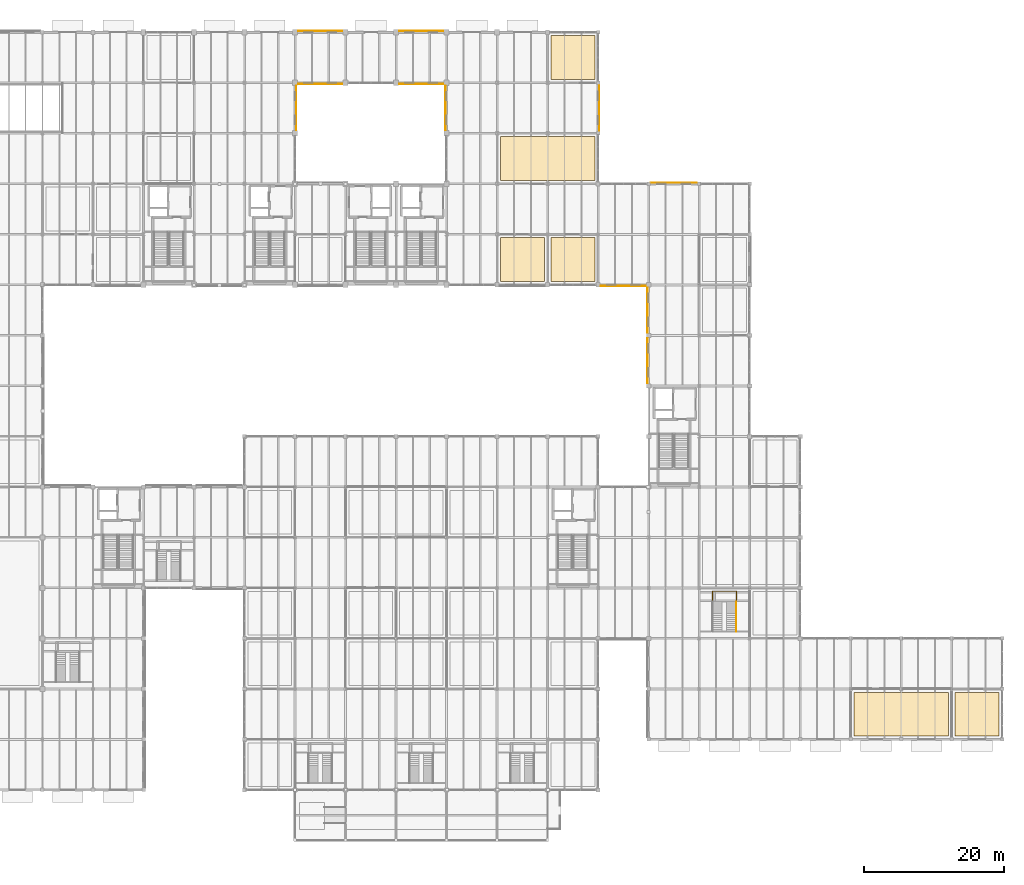
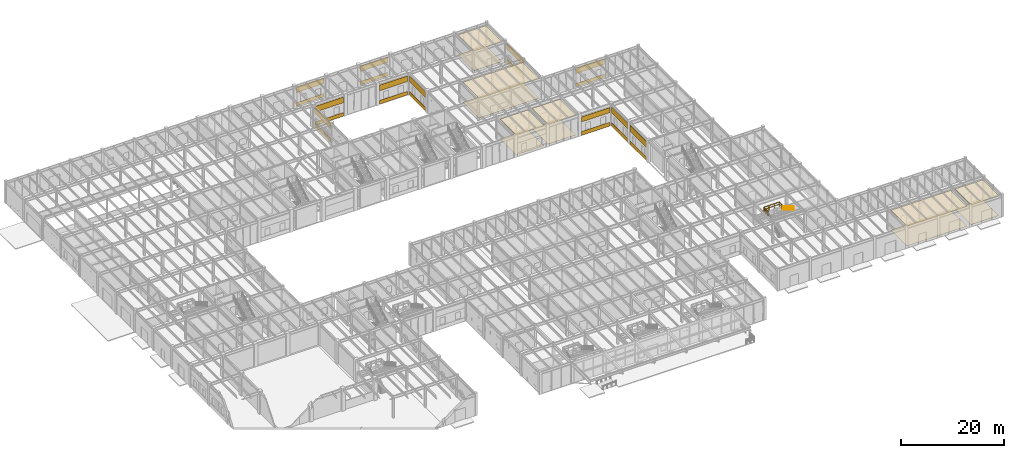
# One storey, part 96 of 97: 34 coverings, 2 railings.
"""IFC4 building model written with IfcOpenShell, lengths in metres."""

from ifc_helpers import new_model, si_unit, direction, frame, frame_2d, origin, origin_2d, place, context, subcontext, project, spatial, polyline, rectangle, circle, outline, extrude, material, layer, layer_set, type_object, element, save


model = new_model("IFC4")

# Units and contexts
model_context = context("Model", 3, precision=1e-05, world=origin(), true_north=direction((0.0, 1.0)))
body_context = subcontext(model_context, "Body", "Model", "MODEL_VIEW")
ifc_project = project(units=[si_unit("LENGTHUNIT", "METRE"), si_unit("AREAUNIT", "SQUARE_METRE"), si_unit("VOLUMEUNIT", "CUBIC_METRE"), si_unit("PLANEANGLEUNIT", "RADIAN"), si_unit("MASSUNIT", "GRAM", prefix="KILO")], contexts=[model_context])

# Site, building, storey
site_placement = place(None, origin())
site = spatial("IfcSite", under=ifc_project, at=site_placement, CompositionType="ELEMENT")
building_placement = place(site_placement, origin())
building = spatial("IfcBuilding", under=site, at=building_placement, Name="Sillqori Civic Hall", CompositionType="ELEMENT")
storey_placement = place(building_placement, origin())
storey = spatial("IfcBuildingStorey", under=building, at=storey_placement, Name="L01", CompositionType="ELEMENT", Elevation=0.0)

# Coverings
ifc_material_1 = material(Name="Acoustic Gypsum Board Assembly 28", Category="gypsum")
ifc_layer_1 = layer(ifc_material_1, 0.028076171875)
ifc_layer_set_1 = layer_set([ifc_layer_1], Name="Acoustic Gypsum Board Assembly 28")
covering_type_1 = type_object("IfcCoveringType", Name="COV-CEIL-G28", PredefinedType="CEILING", material=ifc_layer_set_1)
covering_1_placement = place(storey_placement, frame((0.0, 0.0, 4.721923828125)))
element("IfcCovering", 1, at=covering_1_placement, inside=storey, type_object=covering_type_1, Name="Business Licensing Intake Hall L01-10 acoustic ceiling", PredefinedType="CEILING", context=body_context, shape_type="SweptSolid", body=[
    extrude(outline(polyline([(108.47998046875, 79.679931640625), (114.719970703125, 79.679931640625), (114.719970703125, 85.919921875), (108.47998046875, 85.919921875), (108.47998046875, 79.679931640625)])), origin(), (0.0, 0.0, 1.0), 0.028076171875),
])
ifc_material_2 = material(Name="Acoustic Gypsum Board Assembly 34", Category="gypsum")
ifc_layer_2 = layer(ifc_material_2, 0.033935546875)
ifc_layer_set_2 = layer_set([ifc_layer_2], Name="Acoustic Gypsum Board Assembly 34")
covering_type_2 = type_object("IfcCoveringType", Name="COV-CEIL-G34", PredefinedType="CEILING", material=ifc_layer_set_2)
covering_2_placement = place(storey_placement, frame((0.0, 0.0, 4.716064453125)))
element("IfcCovering", 2, at=covering_2_placement, inside=storey, type_object=covering_type_2, Name="Social Services Citizen Advisory Suite L01-11 acoustic ceiling", PredefinedType="CEILING", context=body_context, shape_type="SweptSolid", body=[
    extrude(outline(polyline([(108.47998046875, 108.47998046875), (114.719970703125, 108.47998046875), (114.719970703125, 114.719970703125), (108.47998046875, 114.719970703125), (108.47998046875, 108.47998046875)])), origin(), (0.0, 0.0, 1.0), 0.033935546875),
])
ifc_material_3 = material(Name="Perforated Acoustic Gypsum Board Ceiling", Category="gypsum")
ifc_layer_3 = layer(ifc_material_3, 0.030029296875)
ifc_layer_set_3 = layer_set([ifc_layer_3], Name="Perforated Acoustic Gypsum Board Ceiling")
covering_type_3 = type_object("IfcCoveringType", Name="COV-CEIL-GYP", PredefinedType="CEILING", material=ifc_layer_set_3)
covering_3_placement = place(storey_placement, frame((0.0, 0.0, 4.719970703125)))
element("IfcCovering", 3, at=covering_3_placement, inside=storey, type_object=covering_type_3, Name="Ombudsman Public Consultation Room L01-08 acoustic ceiling", PredefinedType="CEILING", context=body_context, shape_type="SweptSolid", body=[
    extrude(outline(polyline([(101.280029296875, 79.679931640625), (107.52001953125, 79.679931640625), (107.52001953125, 85.919921875), (101.280029296875, 85.919921875), (101.280029296875, 79.679931640625)])), origin(), (0.0, 0.0, 1.0), 0.030029296875),
])
ifc_material_4 = material(Name="Acoustic Wool Metal Plank 76", Category="aluminium")
ifc_layer_4 = layer(ifc_material_4, 0.075927734375)
ifc_layer_set_4 = layer_set([ifc_layer_4], Name="Acoustic Wool Metal Plank 76")
covering_type_4 = type_object("IfcCoveringType", Name="COV-CEIL-M76", PredefinedType="CEILING", material=ifc_layer_set_4)
covering_4_placement = place(storey_placement, frame((0.0, 0.0, 4.674072265625)))
element("IfcCovering", 4, at=covering_4_placement, inside=storey, type_object=covering_type_4, Name="Book Return and Sorting Room acoustic ceiling", PredefinedType="CEILING", context=body_context, shape_type="SweptSolid", body=[
    extrude(outline(polyline([(151.679931640625, 14.8798828125), (165.1201171875, 14.8798828125), (165.1201171875, 21.1201171875), (151.679931640625, 21.1201171875), (151.679931640625, 14.8798828125)])), origin(), (0.0, 0.0, 1.0), 0.075927734375),
])
ifc_material_5 = material(Name="Chamber Acoustic Coffer Liner 84", Category="timber")
ifc_layer_5 = layer(ifc_material_5, 0.083984375)
ifc_layer_set_5 = layer_set([ifc_layer_5], Name="Chamber Acoustic Coffer Liner 84")
covering_type_5 = type_object("IfcCoveringType", Name="COV-CEIL-M84", PredefinedType="CEILING", material=ifc_layer_set_5)
covering_5_placement = place(storey_placement, frame((0.0, 0.0, 4.666015625)))
element("IfcCovering", 5, at=covering_5_placement, inside=storey, type_object=covering_type_5, Name="Members Library Ground Periodicals Reading Room L01-06 acoustic ceiling", PredefinedType="CEILING", context=body_context, shape_type="SweptSolid", body=[
    extrude(outline(polyline([(166.080078125, 14.8798828125), (172.320068359375, 14.8798828125), (172.320068359375, 21.1201171875), (166.080078125, 21.1201171875), (166.080078125, 14.8798828125)])), origin(), (0.0, 0.0, 1.0), 0.083984375),
])
ifc_material_6 = material(Name="Slatted Andean Cedar Acoustic Baffle", Category="timber")
ifc_layer_6 = layer(ifc_material_6, 0.0419921875)
ifc_layer_set_6 = layer_set([ifc_layer_6], Name="Slatted Andean Cedar Acoustic Baffle")
covering_type_6 = type_object("IfcCoveringType", Name="COV-CEIL-TIM", PredefinedType="CEILING", material=ifc_layer_set_6)
covering_6_placement = place(storey_placement, frame((0.0, 0.0, 4.7080078125)))
element("IfcCovering", 6, at=covering_6_placement, inside=storey, type_object=covering_type_6, Name="Municipal Cadastre Public Counter L01-09 acoustic ceiling", PredefinedType="CEILING", context=body_context, shape_type="SweptSolid", body=[
    extrude(outline(polyline([(101.280029296875, 94.080078125), (114.719970703125, 94.080078125), (114.719970703125, 100.320068359375), (101.280029296875, 100.320068359375), (101.280029296875, 94.080078125)])), origin(), (0.0, 0.0, 1.0), 0.0419921875),
])
ifc_material_7 = material(Name="Cochabamba Honed Limestone Cladding", Category="masonry")
ifc_layer_7 = layer(ifc_material_7, 0.044921875)
ifc_layer_set_7 = layer_set([ifc_layer_7], Name="Cochabamba Honed Limestone Cladding")
covering_type_7 = type_object("IfcCoveringType", Name="COV-CLAD-LIME", PredefinedType="CLADDING", material=ifc_layer_set_7)
covering_7_placement = place(storey_placement, frame((72.159912109375, 107.544921875, 0.0400390625), z_axis=(0.0, 0.0, 1.0), x_axis=(0.0, -1.0, 0.0)))
element("IfcCovering", 7, at=covering_7_placement, inside=storey, type_object=covering_type_7, Name="L01 limestone spandrel cladding L01-09-14-E", PredefinedType="CLADDING", context=body_context, shape_type="SweptSolid", body=[
    extrude(rectangle(XDim=6.2900390625, YDim=0.044921875, at=frame_2d((3.14501953125, 0.0))), origin(), (0.0, 0.0, 1.0), 0.85986328125),
])
covering_8_placement = place(storey_placement, frame((72.159912109375, 107.544921875, 3.219970703125), z_axis=(0.0, 0.0, 1.0), x_axis=(0.0, -1.0, 0.0)))
element("IfcCovering", 8, at=covering_8_placement, inside=storey, type_object=covering_type_7, Name="L01 limestone frieze cladding L01-09-14-E", PredefinedType="CLADDING", context=body_context, shape_type="SweptSolid", body=[
    extrude(rectangle(XDim=6.2900390625, YDim=0.044921875, at=frame_2d((3.14501953125, 0.0))), origin(), (0.0, 0.0, 1.0), 1.406982421875),
])
covering_9_placement = place(storey_placement, frame((78.7451171875, 107.840087890625, 0.0400390625), z_axis=(0.0, 0.0, 1.0), x_axis=(-1.0, 0.0, 0.0)))
element("IfcCovering", 9, at=covering_9_placement, inside=storey, type_object=covering_type_7, Name="L01 limestone spandrel cladding L01-10-15-S", PredefinedType="CLADDING", context=body_context, shape_type="SweptSolid", body=[
    extrude(rectangle(XDim=6.2900390625, YDim=0.044921875, at=frame_2d((3.14501953125, 0.0))), origin(), (0.0, 0.0, 1.0), 0.85986328125),
])
covering_10_placement = place(storey_placement, frame((78.7451171875, 107.840087890625, 3.219970703125), z_axis=(0.0, 0.0, 1.0), x_axis=(-1.0, 0.0, 0.0)))
element("IfcCovering", 10, at=covering_10_placement, inside=storey, type_object=covering_type_7, Name="L01 limestone frieze cladding L01-10-15-S", PredefinedType="CLADDING", context=body_context, shape_type="SweptSolid", body=[
    extrude(rectangle(XDim=6.2900390625, YDim=0.044921875, at=frame_2d((3.14501953125, 0.0))), origin(), (0.0, 0.0, 1.0), 1.338134765625),
])
covering_11_placement = place(storey_placement, frame((72.455078125, 115.360107421875, 0.0400390625), z_axis=(0.0, 0.0, 1.0), x_axis=(1.0, 0.0, 0.0)))
element("IfcCovering", 11, at=covering_11_placement, inside=storey, type_object=covering_type_7, Name="L01 limestone spandrel cladding L01-10-15-N", PredefinedType="CLADDING", context=body_context, shape_type="SweptSolid", body=[
    extrude(rectangle(XDim=6.2900390625, YDim=0.044921875, at=frame_2d((3.14501953125, 0.0))), origin(), (0.0, 0.0, 1.0), 0.85986328125),
])
covering_12_placement = place(storey_placement, frame((72.455078125, 115.360107421875, 3.219970703125), z_axis=(0.0, 0.0, 1.0), x_axis=(1.0, 0.0, 0.0)))
element("IfcCovering", 12, at=covering_12_placement, inside=storey, type_object=covering_type_7, Name="L01 limestone frieze cladding L01-10-15-N", PredefinedType="CLADDING", context=body_context, shape_type="SweptSolid", body=[
    extrude(rectangle(XDim=6.2900390625, YDim=0.044921875, at=frame_2d((3.14501953125, 0.0))), origin(), (0.0, 0.0, 1.0), 1.338134765625),
])
covering_13_placement = place(storey_placement, frame((93.14501953125, 107.840087890625, 0.0400390625), z_axis=(0.0, 0.0, 1.0), x_axis=(-1.0, 0.0, 0.0)))
element("IfcCovering", 13, at=covering_13_placement, inside=storey, type_object=covering_type_7, Name="L01 limestone spandrel cladding L01-12-15-S", PredefinedType="CLADDING", context=body_context, shape_type="SweptSolid", body=[
    extrude(rectangle(XDim=6.2900390625, YDim=0.044921875, at=frame_2d((3.14501953125, 0.0))), origin(), (0.0, 0.0, 1.0), 0.85986328125),
])
covering_14_placement = place(storey_placement, frame((93.14501953125, 107.840087890625, 3.219970703125), z_axis=(0.0, 0.0, 1.0), x_axis=(-1.0, 0.0, 0.0)))
element("IfcCovering", 14, at=covering_14_placement, inside=storey, type_object=covering_type_7, Name="L01 limestone frieze cladding L01-12-15-S", PredefinedType="CLADDING", context=body_context, shape_type="SweptSolid", body=[
    extrude(rectangle(XDim=6.2900390625, YDim=0.044921875, at=frame_2d((3.14501953125, 0.0))), origin(), (0.0, 0.0, 1.0), 1.338134765625),
])
covering_15_placement = place(storey_placement, frame((86.85498046875, 115.360107421875, 0.0400390625), z_axis=(0.0, 0.0, 1.0), x_axis=(1.0, 0.0, 0.0)))
element("IfcCovering", 15, at=covering_15_placement, inside=storey, type_object=covering_type_7, Name="L01 limestone spandrel cladding L01-12-15-N", PredefinedType="CLADDING", context=body_context, shape_type="SweptSolid", body=[
    extrude(rectangle(XDim=6.2900390625, YDim=0.044921875, at=frame_2d((3.14501953125, 0.0))), origin(), (0.0, 0.0, 1.0), 0.85986328125),
])
covering_16_placement = place(storey_placement, frame((86.85498046875, 115.360107421875, 3.219970703125), z_axis=(0.0, 0.0, 1.0), x_axis=(1.0, 0.0, 0.0)))
element("IfcCovering", 16, at=covering_16_placement, inside=storey, type_object=covering_type_7, Name="L01 limestone frieze cladding L01-12-15-N", PredefinedType="CLADDING", context=body_context, shape_type="SweptSolid", body=[
    extrude(rectangle(XDim=6.2900390625, YDim=0.044921875, at=frame_2d((3.14501953125, 0.0))), origin(), (0.0, 0.0, 1.0), 1.338134765625),
])
covering_17_placement = place(storey_placement, frame((93.43994140625, 101.2548828125, 0.0400390625), z_axis=(0.0, 0.0, 1.0), x_axis=(0.0, 1.0, 0.0)))
element("IfcCovering", 17, at=covering_17_placement, inside=storey, type_object=covering_type_7, Name="L01 limestone spandrel cladding L01-13-14-W", PredefinedType="CLADDING", context=body_context, shape_type="SweptSolid", body=[
    extrude(rectangle(XDim=6.2900390625, YDim=0.044921875, at=frame_2d((3.14501953125, 0.0))), origin(), (0.0, 0.0, 1.0), 0.85986328125),
])
covering_18_placement = place(storey_placement, frame((93.43994140625, 101.2548828125, 3.219970703125), z_axis=(0.0, 0.0, 1.0), x_axis=(0.0, 1.0, 0.0)))
element("IfcCovering", 18, at=covering_18_placement, inside=storey, type_object=covering_type_7, Name="L01 limestone frieze cladding L01-13-14-W", PredefinedType="CLADDING", context=body_context, shape_type="SweptSolid", body=[
    extrude(rectangle(XDim=6.2900390625, YDim=0.044921875, at=frame_2d((3.14501953125, 0.0))), origin(), (0.0, 0.0, 1.0), 1.406982421875),
])
covering_19_placement = place(storey_placement, frame((115.360107421875, 107.669921875, 0.0400390625), z_axis=(0.0, 0.0, 1.0), x_axis=(0.0, -1.0, 0.0)))
element("IfcCovering", 19, at=covering_19_placement, inside=storey, type_object=covering_type_7, Name="L01 limestone spandrel cladding L01-15-14-E", PredefinedType="CLADDING", context=body_context, shape_type="SweptSolid", body=[
    extrude(rectangle(XDim=6.5400390625, YDim=0.044921875, at=frame_2d((3.27001953125, 0.0))), origin(), (0.0, 0.0, 1.0), 0.85986328125),
])
covering_20_placement = place(storey_placement, frame((115.360107421875, 107.669921875, 3.219970703125), z_axis=(0.0, 0.0, 1.0), x_axis=(0.0, -1.0, 0.0)))
element("IfcCovering", 20, at=covering_20_placement, inside=storey, type_object=covering_type_7, Name="L01 limestone frieze cladding L01-15-14-E", PredefinedType="CLADDING", context=body_context, shape_type="SweptSolid", body=[
    extrude(rectangle(XDim=6.5400390625, YDim=0.044921875, at=frame_2d((3.27001953125, 0.0))), origin(), (0.0, 0.0, 1.0), 1.406982421875),
])
covering_21_placement = place(storey_placement, frame((122.02001953125, 79.0400390625, 0.0400390625), z_axis=(0.0, 0.0, 1.0), x_axis=(-1.0, 0.0, 0.0)))
element("IfcCovering", 21, at=covering_21_placement, inside=storey, type_object=covering_type_7, Name="L01 limestone spandrel cladding L01-16-11-S", PredefinedType="CLADDING", context=body_context, shape_type="SweptSolid", body=[
    extrude(rectangle(XDim=6.43994140625, YDim=0.044921875, at=frame_2d((3.219970703125, 0.0))), origin(), (0.0, 0.0, 1.0), 0.85986328125),
])
covering_22_placement = place(storey_placement, frame((122.02001953125, 79.0400390625, 3.219970703125), z_axis=(0.0, 0.0, 1.0), x_axis=(-1.0, 0.0, 0.0)))
element("IfcCovering", 22, at=covering_22_placement, inside=storey, type_object=covering_type_7, Name="L01 limestone frieze cladding L01-16-11-S", PredefinedType="CLADDING", context=body_context, shape_type="SweptSolid", body=[
    extrude(rectangle(XDim=6.43994140625, YDim=0.044921875, at=frame_2d((3.219970703125, 0.0))), origin(), (0.0, 0.0, 1.0), 1.177978515625),
])
covering_23_placement = place(storey_placement, frame((122.22998046875, 65.179931640625, 0.0400390625), z_axis=(0.0, 0.0, 1.0), x_axis=(0.0, 1.0, 0.0)))
element("IfcCovering", 23, at=covering_23_placement, inside=storey, type_object=covering_type_7, Name="L01 limestone spandrel cladding L01-17-09-W", PredefinedType="CLADDING", context=body_context, shape_type="SweptSolid", body=[
    extrude(rectangle(XDim=6.440185546875, YDim=0.044921875, at=frame_2d((3.22021484375, 0.0))), origin(), (0.0, 0.0, 1.0), 0.85986328125),
])
covering_24_placement = place(storey_placement, frame((122.22998046875, 65.179931640625, 3.219970703125), z_axis=(0.0, 0.0, 1.0), x_axis=(0.0, 1.0, 0.0)))
element("IfcCovering", 24, at=covering_24_placement, inside=storey, type_object=covering_type_7, Name="L01 limestone frieze cladding L01-17-09-W", PredefinedType="CLADDING", context=body_context, shape_type="SweptSolid", body=[
    extrude(rectangle(XDim=6.440185546875, YDim=0.044921875, at=frame_2d((3.22021484375, 0.0))), origin(), (0.0, 0.0, 1.0), 1.406982421875),
])
covering_25_placement = place(storey_placement, frame((122.22998046875, 72.3798828125, 0.0400390625), z_axis=(0.0, 0.0, 1.0), x_axis=(0.0, 1.0, 0.0)))
element("IfcCovering", 25, at=covering_25_placement, inside=storey, type_object=covering_type_7, Name="L01 limestone spandrel cladding L01-17-10-W", PredefinedType="CLADDING", context=body_context, shape_type="SweptSolid", body=[
    extrude(rectangle(XDim=6.440185546875, YDim=0.044921875, at=frame_2d((3.22021484375, 0.0))), origin(), (0.0, 0.0, 1.0), 0.85986328125),
])
covering_26_placement = place(storey_placement, frame((122.22998046875, 72.3798828125, 3.219970703125), z_axis=(0.0, 0.0, 1.0), x_axis=(0.0, 1.0, 0.0)))
element("IfcCovering", 26, at=covering_26_placement, inside=storey, type_object=covering_type_7, Name="L01 limestone frieze cladding L01-17-10-W", PredefinedType="CLADDING", context=body_context, shape_type="SweptSolid", body=[
    extrude(rectangle(XDim=6.440185546875, YDim=0.044921875, at=frame_2d((3.22021484375, 0.0))), origin(), (0.0, 0.0, 1.0), 1.406982421875),
])
covering_27_placement = place(storey_placement, frame((122.72998046875, 93.760009765625, 0.0400390625), z_axis=(0.0, 0.0, 1.0), x_axis=(1.0, 0.0, 0.0)))
element("IfcCovering", 27, at=covering_27_placement, inside=storey, type_object=covering_type_7, Name="L01 limestone spandrel cladding L01-17-12-N", PredefinedType="CLADDING", context=body_context, shape_type="SweptSolid", body=[
    extrude(rectangle(XDim=6.5400390625, YDim=0.044921875, at=frame_2d((3.27001953125, 0.0))), origin(), (0.0, 0.0, 1.0), 0.85986328125),
])
covering_28_placement = place(storey_placement, frame((122.72998046875, 93.760009765625, 3.219970703125), z_axis=(0.0, 0.0, 1.0), x_axis=(1.0, 0.0, 0.0)))
element("IfcCovering", 28, at=covering_28_placement, inside=storey, type_object=covering_type_7, Name="L01 limestone frieze cladding L01-17-12-N", PredefinedType="CLADDING", context=body_context, shape_type="SweptSolid", body=[
    extrude(rectangle(XDim=6.5400390625, YDim=0.044921875, at=frame_2d((3.27001953125, 0.0))), origin(), (0.0, 0.0, 1.0), 1.338134765625),
])
ifc_material_8 = material(Name="Engineered Tajibo Hardwood Flooring", Category="wood")
ifc_layer_8 = layer(ifc_material_8, 0.02587890625)
ifc_layer_set_8 = layer_set([ifc_layer_8], Name="Engineered Tajibo Hardwood Flooring")
covering_type_8 = type_object("IfcCoveringType", Name="COV-FLR-PRQ", PredefinedType="FLOORING", material=ifc_layer_set_8)
covering_29_placement = place(storey_placement, origin())
element("IfcCovering", 29, at=covering_29_placement, inside=storey, type_object=covering_type_8, Name="Municipal Cadastre Public Counter L01-09 floor finish", PredefinedType="FLOORING", context=body_context, shape_type="SweptSolid", body=[
    extrude(outline(polyline([(101.280029296875, 94.080078125), (114.719970703125, 94.080078125), (114.719970703125, 100.320068359375), (101.280029296875, 100.320068359375), (101.280029296875, 94.080078125)])), origin(), (0.0, 0.0, 1.0), 0.02587890625),
])
ifc_material_9 = material(Name="Seamless Polyurethane Acoustic Screed 12", Category="resin")
ifc_layer_9 = layer(ifc_material_9, 0.011962890625)
ifc_layer_set_9 = layer_set([ifc_layer_9], Name="Seamless Polyurethane Acoustic Screed 12")
covering_type_9 = type_object("IfcCoveringType", Name="COV-FLR-R12", PredefinedType="FLOORING", material=ifc_layer_set_9)
covering_30_placement = place(storey_placement, origin())
element("IfcCovering", 30, at=covering_30_placement, inside=storey, type_object=covering_type_9, Name="Book Return and Sorting Room floor finish", PredefinedType="FLOORING", context=body_context, shape_type="SweptSolid", body=[
    extrude(outline(polyline([(151.679931640625, 14.8798828125), (165.1201171875, 14.8798828125), (165.1201171875, 21.1201171875), (151.679931640625, 21.1201171875), (151.679931640625, 14.8798828125)])), origin(), (0.0, 0.0, 1.0), 0.011962890625),
])
ifc_material_10 = material(Name="Honed Comanche Sandstone Paving 38", Category="masonry")
ifc_layer_10 = layer(ifc_material_10, 0.0380859375)
ifc_layer_set_10 = layer_set([ifc_layer_10], Name="Honed Comanche Sandstone Paving 38")
covering_type_10 = type_object("IfcCoveringType", Name="COV-FLR-S38", PredefinedType="FLOORING", material=ifc_layer_set_10)
covering_31_placement = place(storey_placement, origin())
element("IfcCovering", 31, at=covering_31_placement, inside=storey, type_object=covering_type_10, Name="Business Licensing Intake Hall L01-10 floor finish", PredefinedType="FLOORING", context=body_context, shape_type="SweptSolid", body=[
    extrude(outline(polyline([(108.47998046875, 79.679931640625), (114.719970703125, 79.679931640625), (114.719970703125, 85.919921875), (108.47998046875, 85.919921875), (108.47998046875, 79.679931640625)])), origin(), (0.0, 0.0, 1.0), 0.0380859375),
])
ifc_material_11 = material(Name="Honed Comanche Sandstone Paving 44", Category="masonry")
ifc_layer_11 = layer(ifc_material_11, 0.0439453125)
ifc_layer_set_11 = layer_set([ifc_layer_11], Name="Honed Comanche Sandstone Paving 44")
covering_type_11 = type_object("IfcCoveringType", Name="COV-FLR-S44", PredefinedType="FLOORING", material=ifc_layer_set_11)
covering_32_placement = place(storey_placement, origin())
element("IfcCovering", 32, at=covering_32_placement, inside=storey, type_object=covering_type_11, Name="Social Services Citizen Advisory Suite L01-11 floor finish", PredefinedType="FLOORING", context=body_context, shape_type="SweptSolid", body=[
    extrude(outline(polyline([(108.47998046875, 108.47998046875), (114.719970703125, 108.47998046875), (114.719970703125, 114.719970703125), (108.47998046875, 114.719970703125), (108.47998046875, 108.47998046875)])), origin(), (0.0, 0.0, 1.0), 0.0439453125),
])
ifc_material_12 = material(Name="Raised Access Technical Floor Panel 62", Category="stone")
ifc_layer_12 = layer(ifc_material_12, 0.06201171875)
ifc_layer_set_12 = layer_set([ifc_layer_12], Name="Raised Access Technical Floor Panel 62")
covering_type_12 = type_object("IfcCoveringType", Name="COV-FLR-S62", PredefinedType="FLOORING", material=ifc_layer_set_12)
covering_33_placement = place(storey_placement, origin())
element("IfcCovering", 33, at=covering_33_placement, inside=storey, type_object=covering_type_12, Name="Members Library Ground Periodicals Reading Room L01-06 floor finish", PredefinedType="FLOORING", context=body_context, shape_type="SweptSolid", body=[
    extrude(outline(polyline([(166.080078125, 14.8798828125), (172.320068359375, 14.8798828125), (172.320068359375, 21.1201171875), (166.080078125, 21.1201171875), (166.080078125, 14.8798828125)])), origin(), (0.0, 0.0, 1.0), 0.06201171875),
])
ifc_material_13 = material(Name="Honed Cochabamba Limestone Terrazzo", Category="masonry")
ifc_layer_13 = layer(ifc_material_13, 0.031982421875)
ifc_layer_set_13 = layer_set([ifc_layer_13], Name="Honed Cochabamba Limestone Terrazzo")
covering_type_13 = type_object("IfcCoveringType", Name="COV-FLR-TRZ", PredefinedType="FLOORING", material=ifc_layer_set_13)
covering_34_placement = place(storey_placement, origin())
element("IfcCovering", 34, at=covering_34_placement, inside=storey, type_object=covering_type_13, Name="Ombudsman Public Consultation Room L01-08 floor finish", PredefinedType="FLOORING", context=body_context, shape_type="SweptSolid", body=[
    extrude(outline(polyline([(101.280029296875, 79.679931640625), (107.52001953125, 79.679931640625), (107.52001953125, 85.919921875), (101.280029296875, 85.919921875), (101.280029296875, 79.679931640625)])), origin(), (0.0, 0.0, 1.0), 0.031982421875),
])

# Railings
ifc_material_14 = material(Name="Brushed Stainless Steel 316 Handrail", Category="steel")
ifc_layer_14 = layer(ifc_material_14, 0.044921875)
ifc_layer_set_14 = layer_set([ifc_layer_14], Name="Brushed Stainless Steel 316 Handrail")
railing_type_1 = type_object("IfcRailingType", Name="RLG-CORE-092", PredefinedType="HANDRAIL", material=ifc_layer_set_14)
railing_1_placement = place(storey_placement, frame((134.8798828125, 34.0, 2.868896484375)))
element("IfcRailing", 35, at=railing_1_placement, inside=storey, type_object=railing_type_1, Name="Members Library Reading Stair L01-L02 handrail E", PredefinedType="HANDRAIL", context=body_context, shape_type="SweptSolid", body=[
    extrude(circle(Radius=0.02392578125, at=origin_2d()), frame((0.0, 0.0, 0.89599609375), z_axis=(0.0, -0.856498503035, 0.5161495077), x_axis=(1.0, 0.0, 0.0)), (0.0, 0.0, 1.0), 4.903564453125),
    extrude(circle(Radius=0.02099609375, at=origin_2d()), origin(), (0.0, 0.0, 1.0), 0.871826171875),
    extrude(circle(Radius=0.02099609375, at=origin_2d()), frame((0.0, -0.840087890625, 0.506103515625)), (0.0, 0.0, 1.0), 0.871826171875),
    extrude(circle(Radius=0.02099609375, at=origin_2d()), frame((0.0, -1.679931640625, 1.012451171875)), (0.0, 0.0, 1.0), 0.871826171875),
    extrude(circle(Radius=0.02099609375, at=origin_2d()), frame((0.0, -2.52001953125, 1.5185546875)), (0.0, 0.0, 1.0), 0.871826171875),
    extrude(circle(Radius=0.02099609375, at=origin_2d()), frame((0.0, -3.35986328125, 2.02490234375)), (0.0, 0.0, 1.0), 0.871826171875),
    extrude(circle(Radius=0.02099609375, at=origin_2d()), frame((0.0, -4.199951171875, 2.531005859375)), (0.0, 0.0, 1.0), 0.871826171875),
])
ifc_material_15 = material(Name="Stainless Steel 316 and Laminated Balustrade", Category="steel")
ifc_layer_15 = layer(ifc_material_15, 0.06005859375)
ifc_layer_set_15 = layer_set([ifc_layer_15], Name="Stainless Steel 316 and Laminated Balustrade")
railing_type_2 = type_object("IfcRailingType", Name="RLG-TERR-112", PredefinedType="GUARDRAIL", material=ifc_layer_set_15)
railing_2_placement = place(storey_placement, frame((131.47998046875, 34.0, 2.699951171875)))
element("IfcRailing", 36, at=railing_2_placement, inside=storey, type_object=railing_type_2, Name="Members Library Reading Stair L01-L02 half-landing guard", PredefinedType="GUARDRAIL", context=body_context, shape_type="SweptSolid", body=[
    extrude(circle(Radius=0.02392578125, at=origin_2d()), frame((0.0, 0.0, 1.09619140625), z_axis=(0.0, 1.0, 0.0), x_axis=(-1.0, 0.0, 0.0)), (0.0, 0.0, 1.0), 1.530029296875),
    extrude(circle(Radius=0.02392578125, at=origin_2d()), frame((0.0, 0.0, 0.56005859375), z_axis=(0.0, 1.0, 0.0), x_axis=(-1.0, 0.0, 0.0)), (0.0, 0.0, 1.0), 1.530029296875),
    extrude(circle(Radius=0.02392578125, at=origin_2d()), frame((0.0, 1.530029296875, 1.09619140625), z_axis=(1.0, 0.0, 0.0), x_axis=(0.0, 1.0, 0.0)), (0.0, 0.0, 1.0), 3.43994140625),
    extrude(circle(Radius=0.02392578125, at=origin_2d()), frame((0.0, 1.530029296875, 0.56005859375), z_axis=(1.0, 0.0, 0.0), x_axis=(0.0, 1.0, 0.0)), (0.0, 0.0, 1.0), 3.43994140625),
    extrude(circle(Radius=0.02392578125, at=origin_2d()), frame((3.43994140625, 1.530029296875, 1.09619140625), z_axis=(0.0, -1.0, 0.0), x_axis=(1.0, 0.0, 0.0)), (0.0, 0.0, 1.0), 1.530029296875),
    extrude(circle(Radius=0.02392578125, at=origin_2d()), frame((3.43994140625, 1.530029296875, 0.56005859375), z_axis=(0.0, -1.0, 0.0), x_axis=(1.0, 0.0, 0.0)), (0.0, 0.0, 1.0), 1.530029296875),
    extrude(circle(Radius=0.02099609375, at=origin_2d()), origin(), (0.0, 0.0, 1.0), 1.072021484375),
    extrude(circle(Radius=0.02099609375, at=origin_2d()), frame((0.0, 0.76513671875, 0.0)), (0.0, 0.0, 1.0), 1.072021484375),
    extrude(circle(Radius=0.02099609375, at=origin_2d()), frame((0.0, 1.530029296875, 0.0)), (0.0, 0.0, 1.0), 1.072021484375),
    extrude(circle(Radius=0.02099609375, at=origin_2d()), frame((1.146728515625, 1.530029296875, 0.0)), (0.0, 0.0, 1.0), 1.072021484375),
    extrude(circle(Radius=0.02099609375, at=origin_2d()), frame((2.293212890625, 1.530029296875, 0.0)), (0.0, 0.0, 1.0), 1.072021484375),
    extrude(circle(Radius=0.02099609375, at=origin_2d()), frame((3.43994140625, 1.530029296875, 0.0)), (0.0, 0.0, 1.0), 1.072021484375),
    extrude(circle(Radius=0.02099609375, at=origin_2d()), frame((3.43994140625, 0.76513671875, 0.0)), (0.0, 0.0, 1.0), 1.072021484375),
    extrude(circle(Radius=0.02099609375, at=origin_2d()), frame((3.43994140625, 0.0, 0.0)), (0.0, 0.0, 1.0), 1.072021484375),
])

save(model, "model.ifc")
